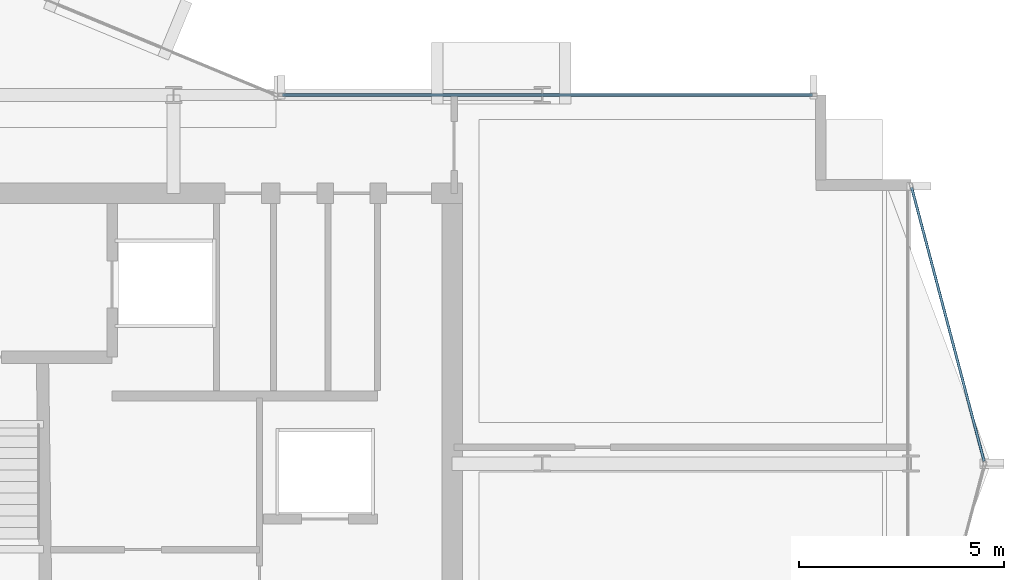
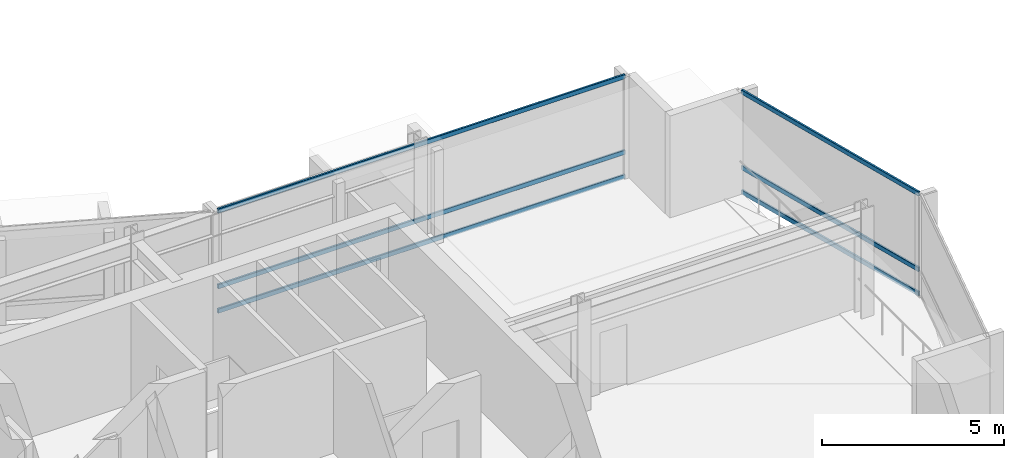
# One storey, part 13 of 27: 6 members, 2 elements without a shape of their own.
"""IFC4 building model written with IfcOpenShell, lengths in metres."""

from ifc_helpers import new_model, si_unit, direction, frame, origin, origin_2d, place, context, subcontext, project, spatial, hollow_rectangle, extrude, material, layer, layer_set, material_profile, profile_set, type_object, element, aggregate, save


model = new_model("IFC4")

# Units and contexts
model_context = context("Model", 3, precision=1e-05, world=origin(), true_north=direction((0.0, 1.0)))
body_context = subcontext(model_context, "Body", "Model", "MODEL_VIEW")
ifc_project = project(units=[si_unit("LENGTHUNIT", "METRE"), si_unit("AREAUNIT", "SQUARE_METRE"), si_unit("VOLUMEUNIT", "CUBIC_METRE"), si_unit("PLANEANGLEUNIT", "RADIAN"), si_unit("MASSUNIT", "GRAM", prefix="KILO")], contexts=[model_context])

# Site, building, storey
site_placement = place(None, origin())
site = spatial("IfcSite", under=ifc_project, at=site_placement, CompositionType="ELEMENT")
building_placement = place(site_placement, origin())
building = spatial("IfcBuilding", under=site, at=building_placement, Name="Solvaryn Broadcast Tower", CompositionType="ELEMENT")
storey_placement = place(building_placement, frame((0.0, 0.0, 181.60009765625)))
storey = spatial("IfcBuildingStorey", under=building, at=storey_placement, Name="L45", CompositionType="ELEMENT", Elevation=181.60009765625)

# Curtain wall, members
ifc_material_1 = material(Name="Aluminium and Terracotta Unitised Curtain Wall", Category="masonry")
ifc_layer = layer(ifc_material_1, 0.199951171875)
ifc_layer_set = layer_set([ifc_layer], Name="CW-SYS2-LOWMID")
curtain_wall_type = type_object("IfcCurtainWallType", Name="CW-SYS2-LOWMID", PredefinedType="NOTDEFINED", material=ifc_layer_set)
curtain_wall_1_placement = place(storey_placement, origin())
curtain_wall_1 = element("IfcCurtainWall", 1, at=curtain_wall_1_placement, inside=storey, type_object=curtain_wall_type, Name="L45 Curtain Wall ET1", PredefinedType="NOTDEFINED")
ifc_material_2 = material(Name="Anodised Aluminium 6063-T6", Category="aluminium")
ifc_material_profile = material_profile(ifc_material_2, hollow_rectangle(XDim=0.06494140625, YDim=0.14990234375, WallThickness=0.00390625, InnerFilletRadius=0.00390625, OuterFilletRadius=0.008056640625, at=origin_2d()))
ifc_profile_set = profile_set([ifc_material_profile], Name="Anodised Aluminium 6063-T6")
member_type = type_object("IfcMemberType", Name="CW-TRN-150", PredefinedType="USERDEFINED", material=ifc_profile_set)
member_1_placement = place(storey_placement, frame((54.015380859375, 24.741943359375, 0.02978515625), z_axis=(0.255897413051, -0.966703943301, 0.0), x_axis=(0.966703943301, 0.255897413051, 0.0)))
member_1 = element("IfcMember", 2, at=member_1_placement, type_object=member_type, Name="CWS2 transom 1.1", ObjectType="TRANSOM", PredefinedType="USERDEFINED", context=body_context, shape_type="SweptSolid", body=[
    extrude(hollow_rectangle(XDim=0.06494140625, YDim=0.14990234375, WallThickness=0.00390625, InnerFilletRadius=0.00390625, OuterFilletRadius=0.008056640625, at=origin_2d()), origin(), (0.0, 0.0, 1.0), 6.9140625),
])
member_2_placement = place(storey_placement, frame((54.015380859375, 24.741943359375, 0.849853515625), z_axis=(0.255897413051, -0.966703943301, 0.0), x_axis=(0.966703943301, 0.255897413051, 0.0)))
member_2 = element("IfcMember", 3, at=member_2_placement, type_object=member_type, Name="CWS2 transom 1.2", ObjectType="TRANSOM", PredefinedType="USERDEFINED", context=body_context, shape_type="SweptSolid", body=[
    extrude(hollow_rectangle(XDim=0.06494140625, YDim=0.14990234375, WallThickness=0.00390625, InnerFilletRadius=0.00390625, OuterFilletRadius=0.008056640625, at=origin_2d()), origin(), (0.0, 0.0, 1.0), 6.9140625),
])
member_3_placement = place(storey_placement, frame((54.015380859375, 24.741943359375, 3.389892578125), z_axis=(0.255897413051, -0.966703943301, 0.0), x_axis=(0.966703943301, 0.255897413051, 0.0)))
member_3 = element("IfcMember", 4, at=member_3_placement, type_object=member_type, Name="CWS2 transom 1.3", ObjectType="TRANSOM", PredefinedType="USERDEFINED", context=body_context, shape_type="SweptSolid", body=[
    extrude(hollow_rectangle(XDim=0.06494140625, YDim=0.14990234375, WallThickness=0.00390625, InnerFilletRadius=0.00390625, OuterFilletRadius=0.008056640625, at=origin_2d()), origin(), (0.0, 0.0, 1.0), 6.9140625),
])
aggregate(curtain_wall_1, [member_1, member_2, member_3])

curtain_wall_2_placement = place(storey_placement, origin())
curtain_wall_2 = element("IfcCurtainWall", 5, at=curtain_wall_2_placement, inside=storey, type_object=curtain_wall_type, Name="L45 Curtain Wall IH", PredefinedType="NOTDEFINED")
member_4_placement = place(storey_placement, frame((38.659912109375, 27.0, 0.02978515625), z_axis=(1.0, 0.0, 0.0), x_axis=(0.0, 1.0, 0.0)))
member_4 = element("IfcMember", 6, at=member_4_placement, type_object=member_type, Name="CWS2 transom 1.1", ObjectType="TRANSOM", PredefinedType="USERDEFINED", context=body_context, shape_type="SweptSolid", body=[
    extrude(hollow_rectangle(XDim=0.06494140625, YDim=0.14990234375, WallThickness=0.00390625, InnerFilletRadius=0.00390625, OuterFilletRadius=0.008056640625, at=origin_2d()), origin(), (0.0, 0.0, 1.0), 12.93017578125),
])
member_5_placement = place(storey_placement, frame((38.659912109375, 27.0, 0.849853515625), z_axis=(1.0, 0.0, 0.0), x_axis=(0.0, 1.0, 0.0)))
member_5 = element("IfcMember", 7, at=member_5_placement, type_object=member_type, Name="CWS2 transom 1.2", ObjectType="TRANSOM", PredefinedType="USERDEFINED", context=body_context, shape_type="SweptSolid", body=[
    extrude(hollow_rectangle(XDim=0.06494140625, YDim=0.14990234375, WallThickness=0.00390625, InnerFilletRadius=0.00390625, OuterFilletRadius=0.008056640625, at=origin_2d()), origin(), (0.0, 0.0, 1.0), 12.93017578125),
])
member_6_placement = place(storey_placement, frame((38.659912109375, 27.0, 3.389892578125), z_axis=(1.0, 0.0, 0.0), x_axis=(0.0, 1.0, 0.0)))
member_6 = element("IfcMember", 8, at=member_6_placement, type_object=member_type, Name="CWS2 transom 1.3", ObjectType="TRANSOM", PredefinedType="USERDEFINED", context=body_context, shape_type="SweptSolid", body=[
    extrude(hollow_rectangle(XDim=0.06494140625, YDim=0.14990234375, WallThickness=0.00390625, InnerFilletRadius=0.00390625, OuterFilletRadius=0.008056640625, at=origin_2d()), origin(), (0.0, 0.0, 1.0), 12.93017578125),
])
aggregate(curtain_wall_2, [member_4, member_5, member_6])

save(model, "model.ifc")
